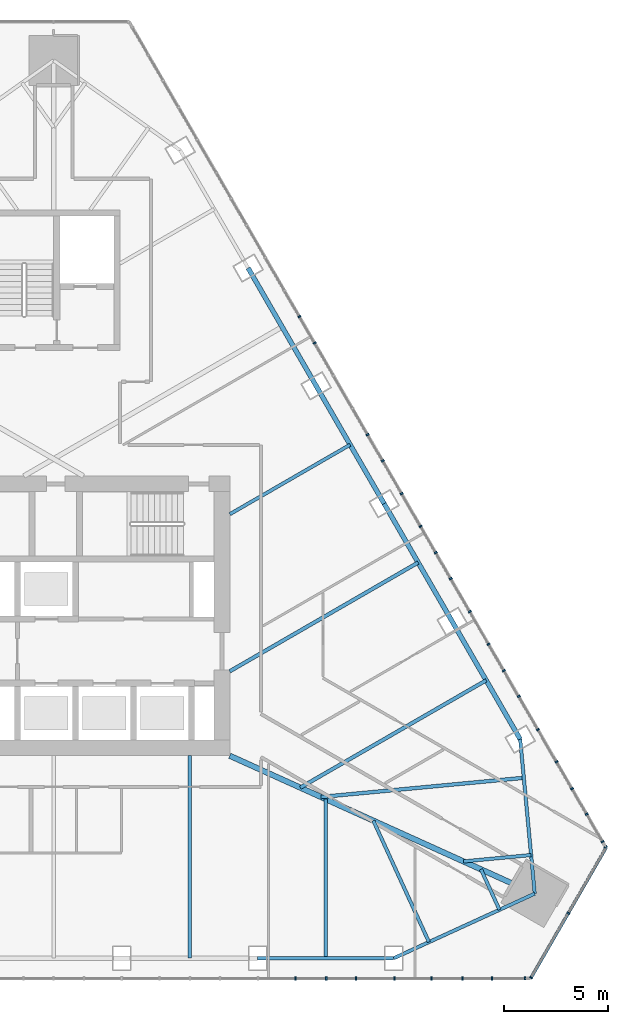
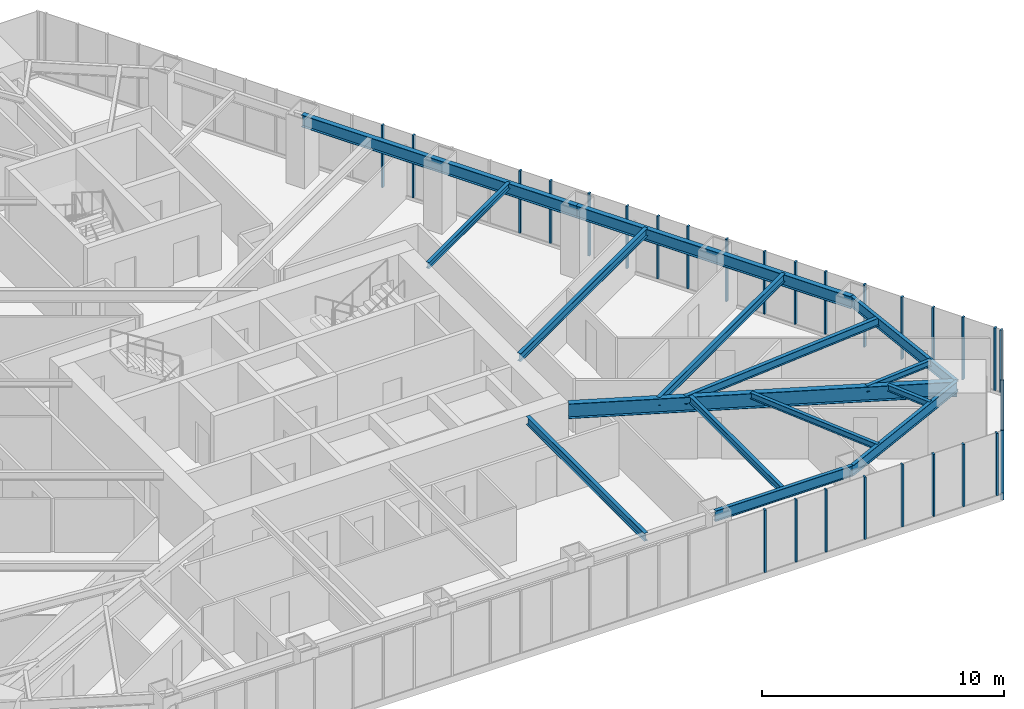
# One storey, part 8 of 21: 29 members, 15 beams, 3 elements without a shape of their own.
"""IFC4 building model written with IfcOpenShell, lengths in metres."""

import ifcopenshell
import ifcopenshell.guid

model = None  # the IFC model being written
_history = None  # IfcOwnerHistory: only IFC2X3 demands one
_inside = {}  # id of a spatial element -> (the spatial element, [elements in it])
_under = {}  # id of a project, library or spatial element -> (it, [spatial elements below it])
_declared = {}  # id of a project -> (the project, [libraries it declares])
_typed = {}  # id of a type object -> (the type object, [elements of that type])
_made_of = {}  # id of a material, layer set ... -> (it, [elements and type objects made of it])


def new_model(schema):
    """Start an empty IFC model of exactly this schema.

    Asked for "IFC4X3", IfcOpenShell would pick the latest addendum, in which some entities
    have other attributes; the version numbers below select the first issue.
    IFC2X3 requires an IfcOwnerHistory on every rooted entity: one is made here for all.
    """
    global model, _history
    if schema == "IFC4X3":
        model = ifcopenshell.file(schema_version=(4, 3, 0, 0))
    else:
        model = ifcopenshell.file(schema=schema)
    _inside.clear()
    _under.clear()
    _declared.clear()
    _typed.clear()
    _made_of.clear()
    _history = None
    if model.schema == "IFC2X3":
        org = make("IfcOrganization", Name="unknown")
        user = make(
            "IfcPersonAndOrganization",
            ThePerson=make("IfcPerson", FamilyName="unknown"),
            TheOrganization=org,
        )
        app = make(
            "IfcApplication",
            ApplicationDeveloper=org,
            Version="unknown",
            ApplicationFullName="unknown",
            ApplicationIdentifier="unknown",
        )
        _history = make(
            "IfcOwnerHistory",
            OwningUser=user,
            OwningApplication=app,
            ChangeAction="ADDED",
            CreationDate=0,
        )
    return model


def make(cls, **values):
    """One entity of the class cls with the attributes given. An attribute that is None is left unset."""
    return model.create_entity(
        cls, **{name: value for name, value in values.items() if value is not None}
    )


def rooted(cls, **values):
    """An entity with a GlobalId (a new one), such as an element, a storey or a relation."""
    return make(cls, GlobalId=ifcopenshell.guid.new(), OwnerHistory=_history, **values)


def si_unit(unit_type, name, prefix=None):
    """IfcSIUnit, for example si_unit("LENGTHUNIT", "METRE", prefix="MILLI")."""
    return make("IfcSIUnit", UnitType=unit_type, Prefix=prefix, Name=name)


def assignment(units):
    """IfcUnitAssignment: the units of a project."""
    return None if units is None else make("IfcUnitAssignment", Units=units)


def point(xyz):
    """IfcCartesianPoint."""
    return None if xyz is None else make("IfcCartesianPoint", Coordinates=xyz)


def direction(xyz):
    """IfcDirection."""
    return None if xyz is None else make("IfcDirection", DirectionRatios=xyz)


def frame(location, z_axis=None, x_axis=None):
    """IfcAxis2Placement3D, a coordinate frame: its origin and axes. An axis left out is left unset."""
    return make(
        "IfcAxis2Placement3D",
        Location=point(location),
        Axis=direction(z_axis),
        RefDirection=direction(x_axis),
    )


def frame_2d(location, x_axis=None):
    """IfcAxis2Placement2D, a coordinate frame in the plane: its origin and x axis."""
    return make(
        "IfcAxis2Placement2D", Location=point(location), RefDirection=direction(x_axis)
    )


def origin():
    """The frame at (0, 0, 0) with its axes left unset."""
    return frame((0.0, 0.0, 0.0))


def origin_2d():
    """The frame at (0, 0) in the plane with its x axis left unset."""
    return frame_2d((0.0, 0.0))


def place(relative_to, where):
    """IfcLocalPlacement: puts the frame where relative to a parent placement (None: the world)."""
    return make(
        "IfcLocalPlacement", PlacementRelTo=relative_to, RelativePlacement=where
    )


def context(
    kind, dimensions, precision=None, world=None, true_north=None, identifier=None
):
    """IfcGeometricRepresentationContext, for example the 3D "Model" context."""
    return make(
        "IfcGeometricRepresentationContext",
        ContextIdentifier=identifier,
        ContextType=kind,
        CoordinateSpaceDimension=dimensions,
        Precision=precision,
        WorldCoordinateSystem=world,
        TrueNorth=true_north,
    )


def subcontext(parent, identifier, kind, view, scale=None):
    """IfcGeometricRepresentationSubContext, for example "Body" below "Model"."""
    return make(
        "IfcGeometricRepresentationSubContext",
        ContextIdentifier=identifier,
        ContextType=kind,
        ParentContext=parent,
        TargetScale=scale,
        TargetView=view,
    )


def project(units=None, contexts=None):
    """IfcProject with its units and contexts."""
    return rooted(
        "IfcProject",
        Name="project",
        RepresentationContexts=contexts,
        UnitsInContext=assignment(units),
    )


def spatial(cls, under=None, at=None, **own):
    """A site, building, storey or space (cls), placed at a placement, below another one or the project."""
    s = rooted(cls, ObjectPlacement=at, **own)
    if under is not None:
        _under.setdefault(under.id(), (under, []))[1].append(s)
    return s


def profile(cls, at=None, kind="AREA", **sizes):
    """A parametric profile (cls). Its sizes go by their IFC names, for example OverallWidth=200.0."""
    return make(cls, ProfileType=kind, Position=at, **sizes)


def rectangle(**sizes):
    """IfcRectangleProfileDef."""
    return profile("IfcRectangleProfileDef", **sizes)


def i_section(**sizes):
    """IfcIShapeProfileDef."""
    return profile("IfcIShapeProfileDef", **sizes)


def extrude(swept, where, along, depth):
    """IfcExtrudedAreaSolid: the profile swept, set in the frame where, extruded along a direction by depth."""
    return make(
        "IfcExtrudedAreaSolid",
        SweptArea=swept,
        Position=where,
        ExtrudedDirection=direction(along),
        Depth=depth,
    )


def shape(context_of_items, identifier, shape_type, items):
    """IfcShapeRepresentation: the items that make up one representation, for example the "Body"."""
    return make(
        "IfcShapeRepresentation",
        ContextOfItems=context_of_items,
        RepresentationIdentifier=identifier,
        RepresentationType=shape_type,
        Items=items,
    )


def material(Name=None, Category=None):
    """IfcMaterial."""
    return make("IfcMaterial", Name=Name, Category=Category)


def layer(
    of_material, thickness, ventilated=None, Name=None, Category=None, Priority=None
):
    """IfcMaterialLayer: one layer of a wall or slab, of a material (None: an air gap)."""
    return make(
        "IfcMaterialLayer",
        Material=of_material,
        LayerThickness=thickness,
        IsVentilated=ventilated,
        Name=Name,
        Category=Category,
        Priority=Priority,
    )


def layer_set(layers, Name=None):
    """IfcMaterialLayerSet."""
    return make("IfcMaterialLayerSet", MaterialLayers=layers, LayerSetName=Name)


def material_profile(
    of_material, cross_section, Name=None, Category=None, Priority=None
):
    """IfcMaterialProfile: a cross section and its material."""
    return make(
        "IfcMaterialProfile",
        Name=Name,
        Material=of_material,
        Profile=cross_section,
        Priority=Priority,
        Category=Category,
    )


def profile_set(profiles, Name=None, composite=None):
    """IfcMaterialProfileSet."""
    return make(
        "IfcMaterialProfileSet",
        Name=Name,
        MaterialProfiles=profiles,
        CompositeProfile=composite,
    )


def made_of(thing, what):
    """Note that an element or type object is made of a material, layer set ...; save() writes the relation."""
    if what is not None:
        _made_of.setdefault(what.id(), (what, []))[1].append(thing)
    return thing


def type_object(cls, material=None, **own):
    """A type object (cls), such as IfcWallType, which elements share."""
    return made_of(rooted(cls, **own), material)


def element(
    cls,
    number,
    at=None,
    inside=None,
    cuts=None,
    type_object=None,
    material=None,
    context=None,
    identifier="Body",
    shape_type=None,
    held_by="IfcProductDefinitionShape",
    body=None,
    shapes=None,
    **own,
):
    """One element of the class cls, such as IfcWall. Its Tag is "e" and its number.

    at: its placement. inside: the storey or other place that contains it. cuts: it is an
    opening in that element (IfcRelVoidsElement). A single representation is given by context,
    identifier, shape_type and body (its items); several are given by shapes. held_by: the class
    of the entity that holds the representations. save() writes the other relations.
    """
    e = rooted(cls, Tag="e%d" % number, ObjectPlacement=at, **own)
    if body is not None:
        shapes = [shape(context, identifier, shape_type, body)]
    if shapes is not None:
        e.Representation = make(held_by, Representations=shapes)
    if inside is not None:
        _inside.setdefault(inside.id(), (inside, []))[1].append(e)
    if cuts is not None:
        rooted(
            "IfcRelVoidsElement", RelatingBuildingElement=cuts, RelatedOpeningElement=e
        )
    if type_object is not None:
        _typed.setdefault(type_object.id(), (type_object, []))[1].append(e)
    return made_of(e, material)


def aggregate(whole, parts):
    """IfcRelAggregates: a whole, such as a stair, and the parts it consists of."""
    return rooted("IfcRelAggregates", RelatingObject=whole, RelatedObjects=parts)


def save(model, path):
    """Write the relations noted so far, then the file.

    IfcRelAggregates (storeys below a building ...), IfcRelContainedInSpatialStructure (elements
    in a storey), IfcRelDefinesByType, IfcRelAssociatesMaterial and IfcRelDeclares: one each for
    every whole, place, type object, material and project.
    """
    for whole, parts in _under.values():
        aggregate(whole, parts)
    for where, things in _inside.values():
        rooted(
            "IfcRelContainedInSpatialStructure",
            RelatedElements=things,
            RelatingStructure=where,
        )
    for kind, things in _typed.values():
        rooted("IfcRelDefinesByType", RelatedObjects=things, RelatingType=kind)
    for what, things in _made_of.values():
        rooted("IfcRelAssociatesMaterial", RelatedObjects=things, RelatingMaterial=what)
    for by, libraries in _declared.values():
        rooted("IfcRelDeclares", RelatingContext=by, RelatedDefinitions=libraries)
    model.write(path)


model = new_model("IFC4")

# Units and contexts
model_context = context("Model", 3, precision=1e-05, world=origin(), true_north=direction((0.0, 1.0)))
body_context = subcontext(model_context, "Body", "Model", "MODEL_VIEW")
ifc_project = project(units=[si_unit("LENGTHUNIT", "METRE"), si_unit("AREAUNIT", "SQUARE_METRE"), si_unit("VOLUMEUNIT", "CUBIC_METRE"), si_unit("PLANEANGLEUNIT", "RADIAN"), si_unit("MASSUNIT", "GRAM", prefix="KILO")], contexts=[model_context])

# Site, building, storey
site_placement = place(None, origin())
site = spatial("IfcSite", under=ifc_project, at=site_placement, CompositionType="ELEMENT")
building_placement = place(site_placement, origin())
building = spatial("IfcBuilding", under=site, at=building_placement, Name="Firuza Gate Tower and Library", CompositionType="ELEMENT")
storey_placement = place(building_placement, frame((0.0, 0.0, 274.10009765625)))
storey = spatial("IfcBuildingStorey", under=building, at=storey_placement, Name="L65", CompositionType="ELEMENT", Elevation=274.10009765625)

# Curtain wall, members
ifc_material_1 = material(Name="Aluminium 6063-T6", Category="aluminium")
ifc_layer_1 = layer(ifc_material_1, 0.14990234375)
ifc_layer_set_1 = layer_set([ifc_layer_1], Name="Unitised curtain wall, residences")
curtain_wall_type_1 = type_object("IfcCurtainWallType", Name="Unitised curtain wall, residences", PredefinedType="NOTDEFINED", material=ifc_layer_set_1)
placement = place(storey_placement, origin())
curtain_wall_1 = element("IfcCurtainWall", 1, at=placement, inside=storey, type_object=curtain_wall_type_1, Name="CW3 L65 S face", PredefinedType="NOTDEFINED")
ifc_material_2 = material(Name="Aluminium 6063-T6", Category="aluminium")
ifc_material_profile_1 = material_profile(ifc_material_2, rectangle(XDim=0.14990234375, YDim=0.080078125, at=origin_2d()))
ifc_profile_set_1 = profile_set([ifc_material_profile_1], Name="Aluminium 6063-T6")
member_type_1 = type_object("IfcMemberType", Name="Curtain wall mullion 80x150", PredefinedType="MULLION", material=ifc_profile_set_1)
member_1_placement = place(storey_placement, frame((88.155517578125, 57.501220703125, 0.14990234375), z_axis=(0.0, 0.0, 1.0), x_axis=(0.0, 1.0, 0.0)))
member_1 = element("IfcMember", 2, at=member_1_placement, type_object=member_type_1, Name="Mullion", PredefinedType="MULLION", context=body_context, shape_type="SweptSolid", body=[
    extrude(rectangle(XDim=0.14990234375, YDim=0.080078125, at=origin_2d()), origin(), (0.0, 0.0, 1.0), 3.14990234375),
])
member_2_placement = place(storey_placement, frame((91.4443359375, 57.501220703125, 0.14990234375), z_axis=(0.0, 0.0, 1.0), x_axis=(0.0, 1.0, 0.0)))
member_2 = element("IfcMember", 3, at=member_2_placement, type_object=member_type_1, Name="Mullion", PredefinedType="MULLION", context=body_context, shape_type="SweptSolid", body=[
    extrude(rectangle(XDim=0.14990234375, YDim=0.080078125, at=origin_2d()), origin(), (0.0, 0.0, 1.0), 3.14990234375),
])
member_3_placement = place(storey_placement, frame((94.733154296875, 57.501220703125, 0.14990234375), z_axis=(0.0, 0.0, 1.0), x_axis=(0.0, 1.0, 0.0)))
member_3 = element("IfcMember", 4, at=member_3_placement, type_object=member_type_1, Name="Mullion", PredefinedType="MULLION", context=body_context, shape_type="SweptSolid", body=[
    extrude(rectangle(XDim=0.14990234375, YDim=0.080078125, at=origin_2d()), origin(), (0.0, 0.0, 1.0), 3.14990234375),
])
member_4_placement = place(storey_placement, frame((86.67236328125, 57.501220703125, 0.14990234375), z_axis=(0.0, 0.0, 1.0), x_axis=(0.0, 1.0, 0.0)))
member_4 = element("IfcMember", 5, at=member_4_placement, type_object=member_type_1, Name="Mullion", PredefinedType="MULLION", context=body_context, shape_type="SweptSolid", body=[
    extrude(rectangle(XDim=0.14990234375, YDim=0.080078125, at=origin_2d()), origin(), (0.0, 0.0, 1.0), 3.14990234375),
])
member_5_placement = place(storey_placement, frame((89.5888671875, 57.501220703125, 0.14990234375), z_axis=(0.0, 0.0, 1.0), x_axis=(0.0, 1.0, 0.0)))
member_5 = element("IfcMember", 6, at=member_5_placement, type_object=member_type_1, Name="Mullion", PredefinedType="MULLION", context=body_context, shape_type="SweptSolid", body=[
    extrude(rectangle(XDim=0.14990234375, YDim=0.080078125, at=origin_2d()), origin(), (0.0, 0.0, 1.0), 3.14990234375),
])
member_6_placement = place(storey_placement, frame((93.23779296875, 57.501220703125, 0.14990234375), z_axis=(0.0, 0.0, 1.0), x_axis=(0.0, 1.0, 0.0)))
member_6 = element("IfcMember", 7, at=member_6_placement, type_object=member_type_1, Name="Mullion", PredefinedType="MULLION", context=body_context, shape_type="SweptSolid", body=[
    extrude(rectangle(XDim=0.14990234375, YDim=0.080078125, at=origin_2d()), origin(), (0.0, 0.0, 1.0), 3.14990234375),
])
member_7_placement = place(storey_placement, frame((96.154296875, 57.501220703125, 0.14990234375), z_axis=(0.0, 0.0, 1.0), x_axis=(0.0, 1.0, 0.0)))
member_7 = element("IfcMember", 8, at=member_7_placement, type_object=member_type_1, Name="Mullion", PredefinedType="MULLION", context=body_context, shape_type="SweptSolid", body=[
    extrude(rectangle(XDim=0.14990234375, YDim=0.080078125, at=origin_2d()), origin(), (0.0, 0.0, 1.0), 3.14990234375),
])
member_8_placement = place(storey_placement, frame((97.755859375, 57.501220703125, 0.14990234375), z_axis=(0.0, 0.0, 1.0), x_axis=(0.0, 1.0, 0.0)))
member_8 = element("IfcMember", 9, at=member_8_placement, type_object=member_type_1, Name="Mullion", PredefinedType="MULLION", context=body_context, shape_type="SweptSolid", body=[
    extrude(rectangle(XDim=0.14990234375, YDim=0.080078125, at=origin_2d()), origin(), (0.0, 0.0, 1.0), 3.14990234375),
])
aggregate(curtain_wall_1, [member_1, member_2, member_3, member_4, member_5, member_6, member_7, member_8])

ifc_material_3 = material(Name="Aluminium 6063-T6", Category="aluminium")
ifc_layer_2 = layer(ifc_material_3, 0.14990234375)
ifc_layer_set_2 = layer_set([ifc_layer_2], Name="Corner curtain wall, chamfers")
curtain_wall_type_2 = type_object("IfcCurtainWallType", Name="Corner curtain wall, chamfers", PredefinedType="NOTDEFINED", material=ifc_layer_set_2)
curtain_wall_2 = element("IfcCurtainWall", 10, at=placement, inside=storey, type_object=curtain_wall_type_2, Name="CW4 L65 SE corner", PredefinedType="NOTDEFINED")
member_9_placement = place(storey_placement, frame((98.0419921875, 57.535888671875, 0.14990234375), z_axis=(0.0, 0.0, 1.0), x_axis=(-0.866025403784, 0.5, 0.0)))
member_9 = element("IfcMember", 11, at=member_9_placement, type_object=member_type_1, Name="Mullion", PredefinedType="MULLION", context=body_context, shape_type="SweptSolid", body=[
    extrude(rectangle(XDim=0.14990234375, YDim=0.080078125, at=origin_2d()), origin(), (0.0, 0.0, 1.0), 3.14990234375),
])
member_10_placement = place(storey_placement, frame((99.843505859375, 60.656494140625, 0.14990234375), z_axis=(0.0, 0.0, 1.0), x_axis=(-0.866025403784, 0.5, 0.0)))
member_10 = element("IfcMember", 12, at=member_10_placement, type_object=member_type_1, Name="Mullion", PredefinedType="MULLION", context=body_context, shape_type="SweptSolid", body=[
    extrude(rectangle(XDim=0.14990234375, YDim=0.080078125, at=origin_2d()), origin(), (0.0, 0.0, 1.0), 3.14990234375),
])

curtain_wall_3 = element("IfcCurtainWall", 13, at=placement, inside=storey, type_object=curtain_wall_type_1, Name="CW3 L65 E face", PredefinedType="NOTDEFINED")
member_11_placement = place(storey_placement, frame((101.645263671875, 63.846435546875, 0.14990234375), z_axis=(0.0, 0.0, 1.0), x_axis=(-0.866025403784, -0.5, 0.0)))
member_11 = element("IfcMember", 14, at=member_11_placement, type_object=member_type_1, Name="Mullion", PredefinedType="MULLION", context=body_context, shape_type="SweptSolid", body=[
    extrude(rectangle(XDim=0.14990234375, YDim=0.080078125, at=origin_2d()), origin(), (0.0, 0.0, 1.0), 3.14990234375),
])
member_12_placement = place(storey_placement, frame((100.020751953125, 66.659912109375, 0.14990234375), z_axis=(0.0, 0.0, 1.0), x_axis=(-0.866025403784, -0.5, 0.0)))
member_12 = element("IfcMember", 15, at=member_12_placement, type_object=member_type_1, Name="Mullion", PredefinedType="MULLION", context=body_context, shape_type="SweptSolid", body=[
    extrude(rectangle(XDim=0.14990234375, YDim=0.080078125, at=origin_2d()), origin(), (0.0, 0.0, 1.0), 3.14990234375),
])
member_13_placement = place(storey_placement, frame((98.37646484375, 69.50830078125, 0.14990234375), z_axis=(0.0, 0.0, 1.0), x_axis=(-0.866025403784, -0.5, 0.0)))
member_13 = element("IfcMember", 16, at=member_13_placement, type_object=member_type_1, Name="Mullion", PredefinedType="MULLION", context=body_context, shape_type="SweptSolid", body=[
    extrude(rectangle(XDim=0.14990234375, YDim=0.080078125, at=origin_2d()), origin(), (0.0, 0.0, 1.0), 3.14990234375),
])
member_14_placement = place(storey_placement, frame((96.73193359375, 72.3564453125, 0.14990234375), z_axis=(0.0, 0.0, 1.0), x_axis=(-0.866025403784, -0.5, 0.0)))
member_14 = element("IfcMember", 17, at=member_14_placement, type_object=member_type_1, Name="Mullion", PredefinedType="MULLION", context=body_context, shape_type="SweptSolid", body=[
    extrude(rectangle(XDim=0.14990234375, YDim=0.080078125, at=origin_2d()), origin(), (0.0, 0.0, 1.0), 3.14990234375),
])
member_15_placement = place(storey_placement, frame((95.087646484375, 75.20458984375, 0.14990234375), z_axis=(0.0, 0.0, 1.0), x_axis=(-0.866025403784, -0.5, 0.0)))
member_15 = element("IfcMember", 18, at=member_15_placement, type_object=member_type_1, Name="Mullion", PredefinedType="MULLION", context=body_context, shape_type="SweptSolid", body=[
    extrude(rectangle(XDim=0.14990234375, YDim=0.080078125, at=origin_2d()), origin(), (0.0, 0.0, 1.0), 3.14990234375),
])
member_16_placement = place(storey_placement, frame((93.443115234375, 78.052978515625, 0.14990234375), z_axis=(0.0, 0.0, 1.0), x_axis=(-0.866025403784, -0.5, 0.0)))
member_16 = element("IfcMember", 19, at=member_16_placement, type_object=member_type_1, Name="Mullion", PredefinedType="MULLION", context=body_context, shape_type="SweptSolid", body=[
    extrude(rectangle(XDim=0.14990234375, YDim=0.080078125, at=origin_2d()), origin(), (0.0, 0.0, 1.0), 3.14990234375),
])
member_17_placement = place(storey_placement, frame((91.798828125, 80.901123046875, 0.14990234375), z_axis=(0.0, 0.0, 1.0), x_axis=(-0.866025403784, -0.5, 0.0)))
member_17 = element("IfcMember", 20, at=member_17_placement, type_object=member_type_1, Name="Mullion", PredefinedType="MULLION", context=body_context, shape_type="SweptSolid", body=[
    extrude(rectangle(XDim=0.14990234375, YDim=0.080078125, at=origin_2d()), origin(), (0.0, 0.0, 1.0), 3.14990234375),
])
member_18_placement = place(storey_placement, frame((90.154296875, 83.749267578125, 0.14990234375), z_axis=(0.0, 0.0, 1.0), x_axis=(-0.866025403784, -0.5, 0.0)))
member_18 = element("IfcMember", 21, at=member_18_placement, type_object=member_type_1, Name="Mullion", PredefinedType="MULLION", context=body_context, shape_type="SweptSolid", body=[
    extrude(rectangle(XDim=0.14990234375, YDim=0.080078125, at=origin_2d()), origin(), (0.0, 0.0, 1.0), 3.14990234375),
])
member_19_placement = place(storey_placement, frame((86.865478515625, 89.44580078125, 0.14990234375), z_axis=(0.0, 0.0, 1.0), x_axis=(-0.866025403784, -0.5, 0.0)))
member_19 = element("IfcMember", 22, at=member_19_placement, type_object=member_type_1, Name="Mullion", PredefinedType="MULLION", context=body_context, shape_type="SweptSolid", body=[
    extrude(rectangle(XDim=0.14990234375, YDim=0.080078125, at=origin_2d()), origin(), (0.0, 0.0, 1.0), 3.14990234375),
])
member_20_placement = place(storey_placement, frame((101.499755859375, 64.0986328125, 0.14990234375), z_axis=(0.0, 0.0, 1.0), x_axis=(-0.866025403784, -0.5, 0.0)))
member_20 = element("IfcMember", 23, at=member_20_placement, type_object=member_type_1, Name="Mullion", PredefinedType="MULLION", context=body_context, shape_type="SweptSolid", body=[
    extrude(rectangle(XDim=0.14990234375, YDim=0.080078125, at=origin_2d()), origin(), (0.0, 0.0, 1.0), 3.14990234375),
])
member_21_placement = place(storey_placement, frame((100.7314453125, 65.42919921875, 0.14990234375), z_axis=(0.0, 0.0, 1.0), x_axis=(-0.866025403784, -0.5, 0.0)))
member_21 = element("IfcMember", 24, at=member_21_placement, type_object=member_type_1, Name="Mullion", PredefinedType="MULLION", context=body_context, shape_type="SweptSolid", body=[
    extrude(rectangle(XDim=0.14990234375, YDim=0.080078125, at=origin_2d()), origin(), (0.0, 0.0, 1.0), 3.14990234375),
])
member_22_placement = place(storey_placement, frame((99.273193359375, 67.954833984375, 0.14990234375), z_axis=(0.0, 0.0, 1.0), x_axis=(-0.866025403784, -0.5, 0.0)))
member_22 = element("IfcMember", 25, at=member_22_placement, type_object=member_type_1, Name="Mullion", PredefinedType="MULLION", context=body_context, shape_type="SweptSolid", body=[
    extrude(rectangle(XDim=0.14990234375, YDim=0.080078125, at=origin_2d()), origin(), (0.0, 0.0, 1.0), 3.14990234375),
])
member_23_placement = place(storey_placement, frame((97.44873046875, 71.114990234375, 0.14990234375), z_axis=(0.0, 0.0, 1.0), x_axis=(-0.866025403784, -0.5, 0.0)))
member_23 = element("IfcMember", 26, at=member_23_placement, type_object=member_type_1, Name="Mullion", PredefinedType="MULLION", context=body_context, shape_type="SweptSolid", body=[
    extrude(rectangle(XDim=0.14990234375, YDim=0.080078125, at=origin_2d()), origin(), (0.0, 0.0, 1.0), 3.14990234375),
])
member_24_placement = place(storey_placement, frame((95.990478515625, 73.640625, 0.14990234375), z_axis=(0.0, 0.0, 1.0), x_axis=(-0.866025403784, -0.5, 0.0)))
member_24 = element("IfcMember", 27, at=member_24_placement, type_object=member_type_1, Name="Mullion", PredefinedType="MULLION", context=body_context, shape_type="SweptSolid", body=[
    extrude(rectangle(XDim=0.14990234375, YDim=0.080078125, at=origin_2d()), origin(), (0.0, 0.0, 1.0), 3.14990234375),
])
member_25_placement = place(storey_placement, frame((94.166015625, 76.80078125, 0.14990234375), z_axis=(0.0, 0.0, 1.0), x_axis=(-0.866025403784, -0.5, 0.0)))
member_25 = element("IfcMember", 28, at=member_25_placement, type_object=member_type_1, Name="Mullion", PredefinedType="MULLION", context=body_context, shape_type="SweptSolid", body=[
    extrude(rectangle(XDim=0.14990234375, YDim=0.080078125, at=origin_2d()), origin(), (0.0, 0.0, 1.0), 3.14990234375),
])
member_26_placement = place(storey_placement, frame((92.707763671875, 79.326416015625, 0.14990234375), z_axis=(0.0, 0.0, 1.0), x_axis=(-0.866025403784, -0.5, 0.0)))
member_26 = element("IfcMember", 29, at=member_26_placement, type_object=member_type_1, Name="Mullion", PredefinedType="MULLION", context=body_context, shape_type="SweptSolid", body=[
    extrude(rectangle(XDim=0.14990234375, YDim=0.080078125, at=origin_2d()), origin(), (0.0, 0.0, 1.0), 3.14990234375),
])
member_27_placement = place(storey_placement, frame((90.88330078125, 82.486572265625, 0.14990234375), z_axis=(0.0, 0.0, 1.0), x_axis=(-0.866025403784, -0.5, 0.0)))
member_27 = element("IfcMember", 30, at=member_27_placement, type_object=member_type_1, Name="Mullion", PredefinedType="MULLION", context=body_context, shape_type="SweptSolid", body=[
    extrude(rectangle(XDim=0.14990234375, YDim=0.080078125, at=origin_2d()), origin(), (0.0, 0.0, 1.0), 3.14990234375),
])
member_28_placement = place(storey_placement, frame((87.600830078125, 88.172119140625, 0.14990234375), z_axis=(0.0, 0.0, 1.0), x_axis=(-0.866025403784, -0.5, 0.0)))
member_28 = element("IfcMember", 31, at=member_28_placement, type_object=member_type_1, Name="Mullion", PredefinedType="MULLION", context=body_context, shape_type="SweptSolid", body=[
    extrude(rectangle(XDim=0.14990234375, YDim=0.080078125, at=origin_2d()), origin(), (0.0, 0.0, 1.0), 3.14990234375),
])
aggregate(curtain_wall_3, [member_11, member_12, member_13, member_14, member_15, member_16, member_17, member_18, member_19, member_20, member_21, member_22, member_23, member_24, member_25, member_26, member_27, member_28])

# Member
ifc_material_4 = material(Name="Aluminium 6063-T6", Category="aluminium")
ifc_material_profile_2 = material_profile(ifc_material_4, rectangle(XDim=0.14990234375, YDim=0.35009765625, at=origin_2d()))
ifc_profile_set_2 = profile_set([ifc_material_profile_2], Name="Aluminium 6063-T6")
member_type_2 = type_object("IfcMemberType", Name="Curtain wall transom 350x150", PredefinedType="USERDEFINED", material=ifc_profile_set_2)
member_29_placement = place(storey_placement, frame((98.02197265625, 57.501220703125, -0.025146484375), z_axis=(0.499991211061, 0.866030478021, 0.0), x_axis=(-0.866030478021, 0.499991211061, 0.0)))
member_29 = element("IfcMember", 32, at=member_29_placement, type_object=member_type_2, Name="Transom", ObjectType="TRANSOM", PredefinedType="USERDEFINED", context=body_context, shape_type="SweptSolid", body=[
    extrude(rectangle(XDim=0.14990234375, YDim=0.35009765625, at=origin_2d()), origin(), (0.0, 0.0, 1.0), 7.286865234375),
])

aggregate(curtain_wall_2, [member_9, member_10, member_29])

# Beams
ifc_material_5 = material(Name="Steel S355", Category="steel")
ifc_material_profile_3 = material_profile(ifc_material_5, i_section(OverallWidth=0.1650390625, OverallDepth=0.31005859375, WebThickness=0.005859375, FlangeThickness=0.009765625, at=origin_2d()))
ifc_profile_set_3 = profile_set([ifc_material_profile_3], Name="Steel S355")
beam_type_1 = type_object("IfcBeamType", Name="W310x39 Floor beam", PredefinedType="JOIST", material=ifc_profile_set_3)
beam_1_placement = place(storey_placement, frame((93.114990234375, 59.255859375, 3.14501953125), z_axis=(-0.416440813943, 0.909162828366, 0.0), x_axis=(-0.909162828366, -0.416440813943, 0.0)))
element("IfcBeam", 33, at=beam_1_placement, inside=storey, type_object=beam_type_1, Name="Floor beam L65 s30", PredefinedType="JOIST", context=body_context, shape_type="SweptSolid", body=[
    extrude(i_section(OverallWidth=0.1650390625, OverallDepth=0.31005859375, WebThickness=0.005859375, FlangeThickness=0.009765625, at=origin_2d()), origin(), (0.0, 0.0, 1.0), 6.44580078125),
])
beam_2_placement = place(storey_placement, frame((96.518310546875, 60.814697265625, 3.14501953125), z_axis=(-0.416455154512, 0.909156259551, 0.0), x_axis=(-0.909156259551, -0.416455154512, 0.0)))
element("IfcBeam", 34, at=beam_2_placement, inside=storey, type_object=beam_type_1, Name="Floor beam L65 s31", PredefinedType="JOIST", context=body_context, shape_type="SweptSolid", body=[
    extrude(i_section(OverallWidth=0.1650390625, OverallDepth=0.31005859375, WebThickness=0.005859375, FlangeThickness=0.009765625, at=origin_2d()), origin(), (0.0, 0.0, 1.0), 2.1484375),
])
beam_3_placement = place(storey_placement, frame((98.0439453125, 63.457275390625, 3.14501953125), z_axis=(-0.995581079201, -0.09390588233, 0.0), x_axis=(0.09390588233, -0.995581079201, 0.0)))
element("IfcBeam", 35, at=beam_3_placement, inside=storey, type_object=beam_type_1, Name="Floor beam L65 s40", PredefinedType="JOIST", context=body_context, shape_type="SweptSolid", body=[
    extrude(i_section(OverallWidth=0.1650390625, OverallDepth=0.31005859375, WebThickness=0.005859375, FlangeThickness=0.009765625, at=origin_2d()), origin(), (0.0, 0.0, 1.0), 3.2783203125),
])
beam_4_placement = place(storey_placement, frame((89.309814453125, 83.26171875, 3.14501953125), z_axis=(-0.866028624078, -0.499994422247, 0.0), x_axis=(0.499994422247, -0.866028624078, 0.0)))
element("IfcBeam", 36, at=beam_4_placement, inside=storey, type_object=beam_type_1, Name="Floor beam L65 s52", PredefinedType="JOIST", context=body_context, shape_type="SweptSolid", body=[
    extrude(i_section(OverallWidth=0.1650390625, OverallDepth=0.31005859375, WebThickness=0.005859375, FlangeThickness=0.009765625, at=origin_2d()), origin(), (0.0, 0.0, 1.0), 6.70849609375),
])
ifc_material_6 = material(Name="Steel S355", Category="steel")
ifc_material_profile_4 = material_profile(ifc_material_6, i_section(OverallWidth=0.1708984375, OverallDepth=0.35498046875, WebThickness=0.007080078125, FlangeThickness=0.01171875, at=origin_2d()))
ifc_profile_set_4 = profile_set([ifc_material_profile_4], Name="Steel S355")
beam_type_2 = type_object("IfcBeamType", Name="W360x51 Floor beam", PredefinedType="JOIST", material=ifc_profile_set_4)
beam_5_placement = place(storey_placement, frame((88.130615234375, 58.476318359375, 3.122314453125), z_axis=(0.0, 1.0, 0.0), x_axis=(-1.0, 0.0, 0.0)))
element("IfcBeam", 37, at=beam_5_placement, inside=storey, type_object=beam_type_2, Name="Floor beam L65 s24", PredefinedType="JOIST", context=body_context, shape_type="SweptSolid", body=[
    extrude(i_section(OverallWidth=0.1708984375, OverallDepth=0.35498046875, WebThickness=0.007080078125, FlangeThickness=0.01171875, at=origin_2d()), origin(), (0.0, 0.0, 1.0), 7.6796875),
])
ifc_material_7 = material(Name="Steel S355", Category="steel")
ifc_material_profile_5 = material_profile(ifc_material_7, i_section(OverallWidth=0.177978515625, OverallDepth=0.406982421875, WebThickness=0.0078125, FlangeThickness=0.0126953125, at=origin_2d()))
ifc_profile_set_5 = profile_set([ifc_material_profile_5], Name="Steel S355")
beam_type_3 = type_object("IfcBeamType", Name="W410x60 Floor beam", PredefinedType="JOIST", material=ifc_profile_set_5)
beam_6_placement = place(storey_placement, frame((81.5654296875, 58.476318359375, 3.096435546875), z_axis=(0.0, 1.0, 0.0), x_axis=(-1.0, 0.0, 0.0)))
element("IfcBeam", 38, at=beam_6_placement, inside=storey, type_object=beam_type_3, Name="Floor beam L65 s23", PredefinedType="JOIST", context=body_context, shape_type="SweptSolid", body=[
    extrude(i_section(OverallWidth=0.177978515625, OverallDepth=0.406982421875, WebThickness=0.0078125, FlangeThickness=0.0126953125, at=origin_2d()), origin(), (0.0, 0.0, 1.0), 9.773681640625),
])
beam_7_placement = place(storey_placement, frame((97.6923828125, 67.18408203125, 3.096435546875), z_axis=(-0.99557897717, -0.093928165194, 0.0), x_axis=(0.093928165194, -0.99557897717, 0.0)))
element("IfcBeam", 39, at=beam_7_placement, inside=storey, type_object=beam_type_3, Name="Floor beam L65 s41", PredefinedType="JOIST", context=body_context, shape_type="SweptSolid", body=[
    extrude(i_section(OverallWidth=0.177978515625, OverallDepth=0.406982421875, WebThickness=0.0078125, FlangeThickness=0.0126953125, at=origin_2d()), origin(), (0.0, 0.0, 1.0), 9.83544921875),
])
beam_8_placement = place(storey_placement, frame((95.875244140625, 71.890380859375, 3.096435546875), z_axis=(-0.866018392704, -0.500012143352, 0.0), x_axis=(0.500012143352, -0.866018392704, 0.0)))
element("IfcBeam", 40, at=beam_8_placement, inside=storey, type_object=beam_type_3, Name="Floor beam L65 s50", PredefinedType="JOIST", context=body_context, shape_type="SweptSolid", body=[
    extrude(i_section(OverallWidth=0.177978515625, OverallDepth=0.406982421875, WebThickness=0.0078125, FlangeThickness=0.0126953125, at=origin_2d()), origin(), (0.0, 0.0, 1.0), 10.359130859375),
])
beam_9_placement = place(storey_placement, frame((92.592529296875, 77.576171875, 3.096435546875), z_axis=(-0.866017913171, -0.500012973899, 0.0), x_axis=(0.500012973899, -0.866017913171, 0.0)))
element("IfcBeam", 41, at=beam_9_placement, inside=storey, type_object=beam_type_3, Name="Floor beam L65 s51", PredefinedType="JOIST", context=body_context, shape_type="SweptSolid", body=[
    extrude(i_section(OverallWidth=0.177978515625, OverallDepth=0.406982421875, WebThickness=0.0078125, FlangeThickness=0.0126953125, at=origin_2d()), origin(), (0.0, 0.0, 1.0), 10.499267578125),
])
ifc_material_8 = material(Name="Steel S355", Category="steel")
ifc_material_profile_6 = material_profile(ifc_material_8, i_section(OverallWidth=0.166015625, OverallDepth=0.534912109375, WebThickness=0.01025390625, FlangeThickness=0.0166015625, at=origin_2d()))
ifc_profile_set_6 = profile_set([ifc_material_profile_6], Name="Steel S355")
beam_type_4 = type_object("IfcBeamType", Name="W530x85 Edge beam", PredefinedType="SPANDREL", material=ifc_profile_set_6)
beam_10_placement = place(storey_placement, frame((84.847900390625, 58.476318359375, 3.032470703125), z_axis=(1.0, 0.0, 0.0), x_axis=(0.0, 1.0, 0.0)))
element("IfcBeam", 42, at=beam_10_placement, inside=storey, type_object=beam_type_4, Name="Edge beam L65 e24", PredefinedType="SPANDREL", context=body_context, shape_type="SweptSolid", body=[
    extrude(i_section(OverallWidth=0.166015625, OverallDepth=0.534912109375, WebThickness=0.01025390625, FlangeThickness=0.0166015625, at=origin_2d()), origin(), (0.0, 0.0, 1.0), 6.5654296875),
])
beam_11_placement = place(storey_placement, frame((91.413330078125, 58.476318359375, 3.032470703125), z_axis=(0.909162069669, 0.416442470306, 0.0), x_axis=(-0.416442470306, 0.909162069669, 0.0)))
element("IfcBeam", 43, at=beam_11_placement, inside=storey, type_object=beam_type_4, Name="Edge beam L65 e30", PredefinedType="SPANDREL", context=body_context, shape_type="SweptSolid", body=[
    extrude(i_section(OverallWidth=0.166015625, OverallDepth=0.534912109375, WebThickness=0.01025390625, FlangeThickness=0.0166015625, at=origin_2d()), origin(), (0.0, 0.0, 1.0), 7.486328125),
])
beam_12_placement = place(storey_placement, frame((98.2197265625, 61.593994140625, 3.032470703125), z_axis=(-0.093919545229, 0.995579790385, 0.0), x_axis=(-0.995579790385, -0.093919545229, 0.0)))
element("IfcBeam", 44, at=beam_12_placement, inside=storey, type_object=beam_type_4, Name="Edge beam L65 e40", PredefinedType="SPANDREL", context=body_context, shape_type="SweptSolid", body=[
    extrude(i_section(OverallWidth=0.166015625, OverallDepth=0.534912109375, WebThickness=0.01025390625, FlangeThickness=0.0166015625, at=origin_2d()), origin(), (0.0, 0.0, 1.0), 7.486572265625),
])
ifc_material_9 = material(Name="Steel S355", Category="steel")
ifc_material_profile_7 = material_profile(ifc_material_9, i_section(OverallWidth=0.22900390625, OverallDepth=0.612060546875, WebThickness=0.011962890625, FlangeThickness=0.01953125, at=origin_2d()))
ifc_profile_set_7 = profile_set([ifc_material_profile_7], Name="Steel S355")
beam_type_5 = type_object("IfcBeamType", Name="W610x125 Edge beam", PredefinedType="SPANDREL", material=ifc_profile_set_7)
beam_13_placement = place(storey_placement, frame((97.5166015625, 69.04736328125, 2.993896484375), z_axis=(-0.500002498361, 0.86602396135, 0.0), x_axis=(-0.86602396135, -0.500002498361, 0.0)))
element("IfcBeam", 45, at=beam_13_placement, inside=storey, type_object=beam_type_5, Name="Edge beam L65 e50", PredefinedType="SPANDREL", context=body_context, shape_type="SweptSolid", body=[
    extrude(i_section(OverallWidth=0.22900390625, OverallDepth=0.612060546875, WebThickness=0.011962890625, FlangeThickness=0.01953125, at=origin_2d()), origin(), (0.0, 0.0, 1.0), 13.130859375),
])
beam_14_placement = place(storey_placement, frame((90.951171875, 80.4189453125, 2.993896484375), z_axis=(-0.499988553475, 0.866032012338, 0.0), x_axis=(-0.866032012338, -0.499988553475, 0.0)))
element("IfcBeam", 46, at=beam_14_placement, inside=storey, type_object=beam_type_5, Name="Edge beam L65 e52", PredefinedType="SPANDREL", context=body_context, shape_type="SweptSolid", body=[
    extrude(i_section(OverallWidth=0.22900390625, OverallDepth=0.612060546875, WebThickness=0.011962890625, FlangeThickness=0.01953125, at=origin_2d()), origin(), (0.0, 0.0, 1.0), 13.130615234375),
])
ifc_material_10 = material(Name="Steel S355", Category="steel")
ifc_material_profile_8 = material_profile(ifc_material_10, i_section(OverallWidth=0.264892578125, OverallDepth=0.7529296875, WebThickness=0.01318359375, FlangeThickness=0.01708984375, at=origin_2d()))
ifc_profile_set_8 = profile_set([ifc_material_profile_8], Name="Steel S355")
beam_type_6 = type_object("IfcBeamType", Name="W760x147 Girder", PredefinedType="BEAM", material=ifc_profile_set_8)
beam_15_placement = place(storey_placement, frame((98.2197265625, 61.593994140625, 2.92333984375), z_axis=(-0.911175743471, 0.412017917705, 0.0), x_axis=(-0.412017917705, -0.911175743471, 0.0)))
element("IfcBeam", 47, at=beam_15_placement, inside=storey, type_object=beam_type_6, Name="Girder L65 gSE", PredefinedType="BEAM", context=body_context, shape_type="SweptSolid", body=[
    extrude(i_section(OverallWidth=0.264892578125, OverallDepth=0.7529296875, WebThickness=0.01318359375, FlangeThickness=0.01708984375, at=origin_2d()), origin(), (0.0, 0.0, 1.0), 16.154541015625),
])

save(model, "model.ifc")
